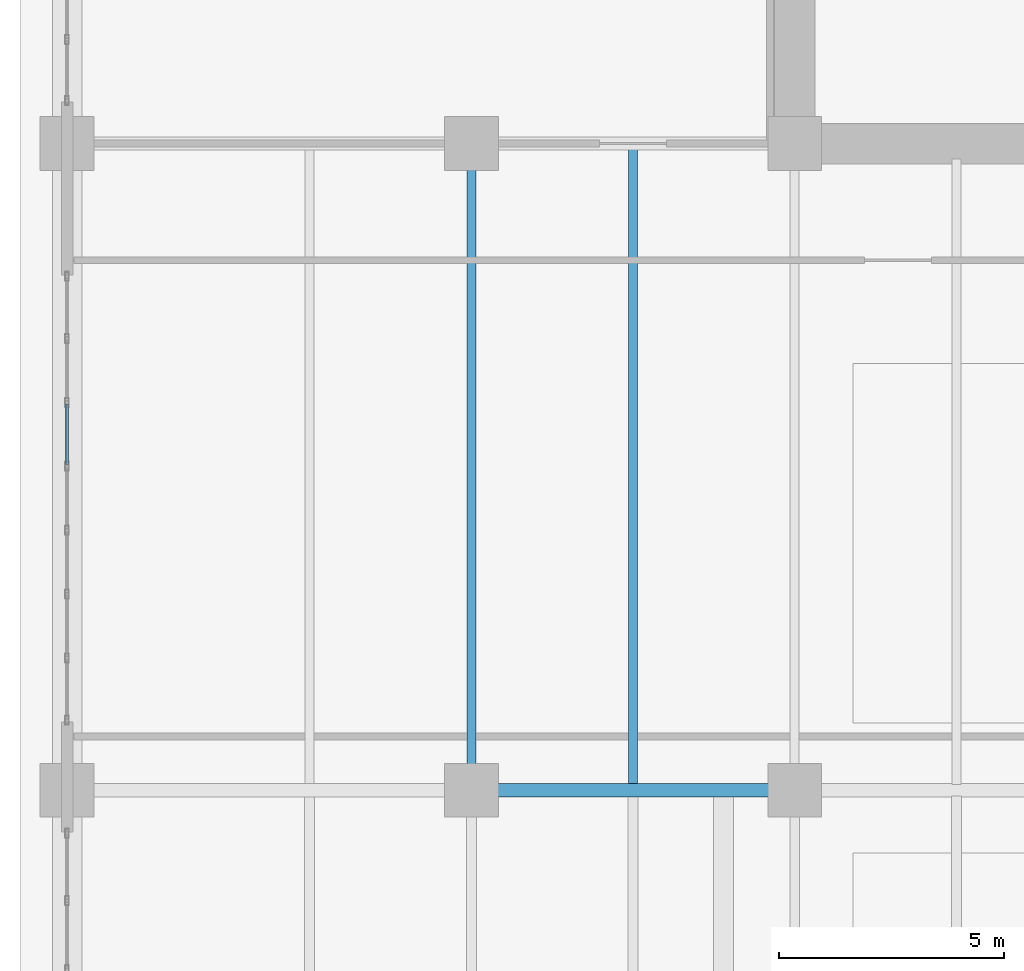
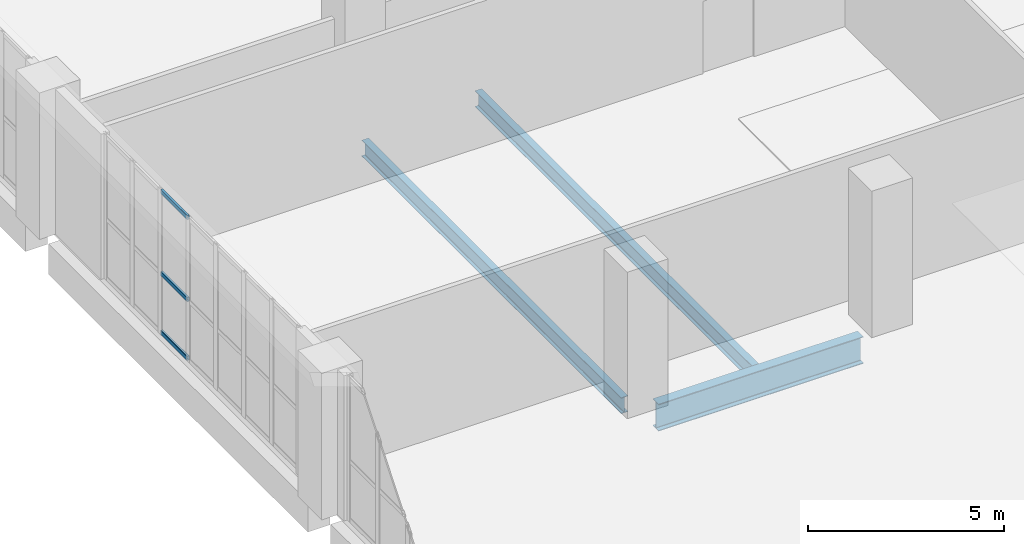
# One storey, part 8 of 37: 3 beams, 3 members, 1 element without a shape of its own.
"""IFC4 building model written with IfcOpenShell, lengths in metres."""

from ifc_helpers import new_model, si_unit, direction, frame, origin, origin_2d, place, context, subcontext, project, spatial, hollow_rectangle, i_section, extrude, material, layer, layer_set, material_profile, profile_set, type_object, element, aggregate, save


model = new_model("IFC4")

# Units and contexts
model_context = context("Model", 3, precision=1e-05, world=origin(), true_north=direction((0.0, 1.0)))
body_context = subcontext(model_context, "Body", "Model", "MODEL_VIEW")
ifc_project = project(units=[si_unit("LENGTHUNIT", "METRE"), si_unit("AREAUNIT", "SQUARE_METRE"), si_unit("VOLUMEUNIT", "CUBIC_METRE"), si_unit("PLANEANGLEUNIT", "RADIAN"), si_unit("MASSUNIT", "GRAM", prefix="KILO")], contexts=[model_context])

# Site, building, storey
site_placement = place(None, origin())
site = spatial("IfcSite", under=ifc_project, at=site_placement, CompositionType="ELEMENT")
building_placement = place(site_placement, origin())
building = spatial("IfcBuilding", under=site, at=building_placement, Name="Kaelvorn Grand Hotel", CompositionType="ELEMENT")
storey_placement = place(building_placement, frame((0.0, 0.0, 130.550048828125)))
storey = spatial("IfcBuildingStorey", under=building, at=storey_placement, Name="L31", CompositionType="ELEMENT", Elevation=130.550048828125)

# Beams
ifc_material_1 = material(Name="Steel S355", Category="steel")
ifc_material_profile_1 = material_profile(ifc_material_1, i_section(OverallWidth=0.29248046875, OverallDepth=0.8408203125, WebThickness=0.0146484375, FlangeThickness=0.021728515625, FilletRadius=0.017822265625, at=origin_2d()), Name="UB 838x292x194")
ifc_profile_set_1 = profile_set([ifc_material_profile_1], Name="Steel S355")
beam_type_1 = type_object("IfcBeamType", Name="BM-G-UB838-S355", PredefinedType="BEAM", material=ifc_profile_set_1)
beam_1_placement = place(storey_placement, frame((9.5849609375, 15.0, -0.660400390625), z_axis=(1.0, 0.0, 0.0), x_axis=(0.0, 1.0, 0.0)))
element("IfcBeam", 1, at=beam_1_placement, inside=storey, type_object=beam_type_1, Name="L31 Primary Spine Steel Girder G-15 02", PredefinedType="BEAM", context=body_context, shape_type="SweptSolid", body=[
    extrude(i_section(OverallWidth=0.29248046875, OverallDepth=0.8408203125, WebThickness=0.0146484375, FlangeThickness=0.021728515625, FilletRadius=0.017822265625, at=origin_2d()), origin(), (0.0, 0.0, 1.0), 6.030029296875),
])
ifc_material_profile_2 = material_profile(ifc_material_1, i_section(OverallWidth=0.199951171875, OverallDepth=0.5, WebThickness=0.01025390625, FlangeThickness=0.01611328125, FilletRadius=0.02099609375, at=origin_2d()), Name="IPE 500")
ifc_profile_set_2 = profile_set([ifc_material_profile_2], Name="Steel S355")
beam_type_2 = type_object("IfcBeamType", Name="BM-J-IPE500-S355", PredefinedType="JOIST", material=ifc_profile_set_2)
beam_2_placement = place(storey_placement, frame((9.0, 15.5849609375, -0.489990234375), z_axis=(0.0, 1.0, 0.0), x_axis=(-1.0, 0.0, 0.0)))
element("IfcBeam", 2, at=beam_2_placement, inside=storey, type_object=beam_type_2, Name="L31 Composite Floor Joist JM-03", PredefinedType="JOIST", context=body_context, shape_type="SweptSolid", body=[
    extrude(i_section(OverallWidth=0.199951171875, OverallDepth=0.5, WebThickness=0.01025390625, FlangeThickness=0.01611328125, FilletRadius=0.02099609375, at=origin_2d()), origin(), (0.0, 0.0, 1.0), 13.22998046875),
])
beam_3_placement = place(storey_placement, frame((12.60009765625, 15.131103515625, -0.489990234375), z_axis=(0.0, 1.0, 0.0), x_axis=(-1.0, 0.0, 0.0)))
element("IfcBeam", 3, at=beam_3_placement, inside=storey, type_object=beam_type_2, Name="L31 Composite Floor Joist JM-04", PredefinedType="JOIST", context=body_context, shape_type="SweptSolid", body=[
    extrude(i_section(OverallWidth=0.199951171875, OverallDepth=0.5, WebThickness=0.01025390625, FlangeThickness=0.01611328125, FilletRadius=0.02099609375, at=origin_2d()), origin(), (0.0, 0.0, 1.0), 14.1376953125),
])

# Curtain wall, members
ifc_material_2 = material(Name="Anodised Aluminium", Category="aluminium")
ifc_layer = layer(ifc_material_2, 0.199951171875)
ifc_layer_set = layer_set([ifc_layer], Name="Anodised Aluminium")
curtain_wall_type = type_object("IfcCurtainWallType", Name="CW-SYS3", PredefinedType="NOTDEFINED", material=ifc_layer_set)
curtain_wall_placement = place(storey_placement, origin())
curtain_wall = element("IfcCurtainWall", 4, at=curtain_wall_placement, inside=storey, type_object=curtain_wall_type, Name="L31 Unitised Curtain Wall CW3 (CW-L31-W-02)", PredefinedType="NOTDEFINED")
ifc_material_profile_3 = material_profile(ifc_material_2, hollow_rectangle(XDim=0.070068359375, YDim=0.135009765625, WallThickness=0.00341796875, InnerFilletRadius=0.00341796875, OuterFilletRadius=0.007080078125, at=origin_2d()), Name="ALU TRAN 70x135")
ifc_profile_set_3 = profile_set([ifc_material_profile_3], Name="Anodised Aluminium")
member_type = type_object("IfcMemberType", Name="CW-SYS3-TRAN", PredefinedType="NOTDEFINED", material=ifc_profile_set_3)
member_1_placement = place(storey_placement, frame((0.0, 23.5966796875, 0.0673828125), z_axis=(0.0, -1.0, 0.0), x_axis=(1.0, 0.0, 0.0)))
member_1 = element("IfcMember", 5, at=member_1_placement, type_object=member_type, Name="CW3 transom 3.1", ObjectType="TRANSOM", PredefinedType="USERDEFINED", context=body_context, shape_type="SweptSolid", body=[
    extrude(hollow_rectangle(XDim=0.070068359375, YDim=0.135009765625, WallThickness=0.00341796875, InnerFilletRadius=0.00341796875, OuterFilletRadius=0.007080078125, at=origin_2d()), origin(), (0.0, 0.0, 1.0), 1.34765625),
])
member_2_placement = place(storey_placement, frame((0.0, 23.5966796875, 1.8984375), z_axis=(0.0, -1.0, 0.0), x_axis=(1.0, 0.0, 0.0)))
member_2 = element("IfcMember", 6, at=member_2_placement, type_object=member_type, Name="CW3 transom 3.2", ObjectType="TRANSOM", PredefinedType="USERDEFINED", context=body_context, shape_type="SweptSolid", body=[
    extrude(hollow_rectangle(XDim=0.070068359375, YDim=0.135009765625, WallThickness=0.00341796875, InnerFilletRadius=0.00341796875, OuterFilletRadius=0.007080078125, at=origin_2d()), origin(), (0.0, 0.0, 1.0), 1.34765625),
])
member_3_placement = place(storey_placement, frame((0.0, 23.5966796875, 4.452392578125), z_axis=(0.0, -1.0, 0.0), x_axis=(1.0, 0.0, 0.0)))
member_3 = element("IfcMember", 7, at=member_3_placement, type_object=member_type, Name="CW3 transom 3.3", ObjectType="TRANSOM", PredefinedType="USERDEFINED", context=body_context, shape_type="SweptSolid", body=[
    extrude(hollow_rectangle(XDim=0.070068359375, YDim=0.135009765625, WallThickness=0.00341796875, InnerFilletRadius=0.00341796875, OuterFilletRadius=0.007080078125, at=origin_2d()), origin(), (0.0, 0.0, 1.0), 1.34765625),
])
aggregate(curtain_wall, [member_1, member_2, member_3])

save(model, "model.ifc")
